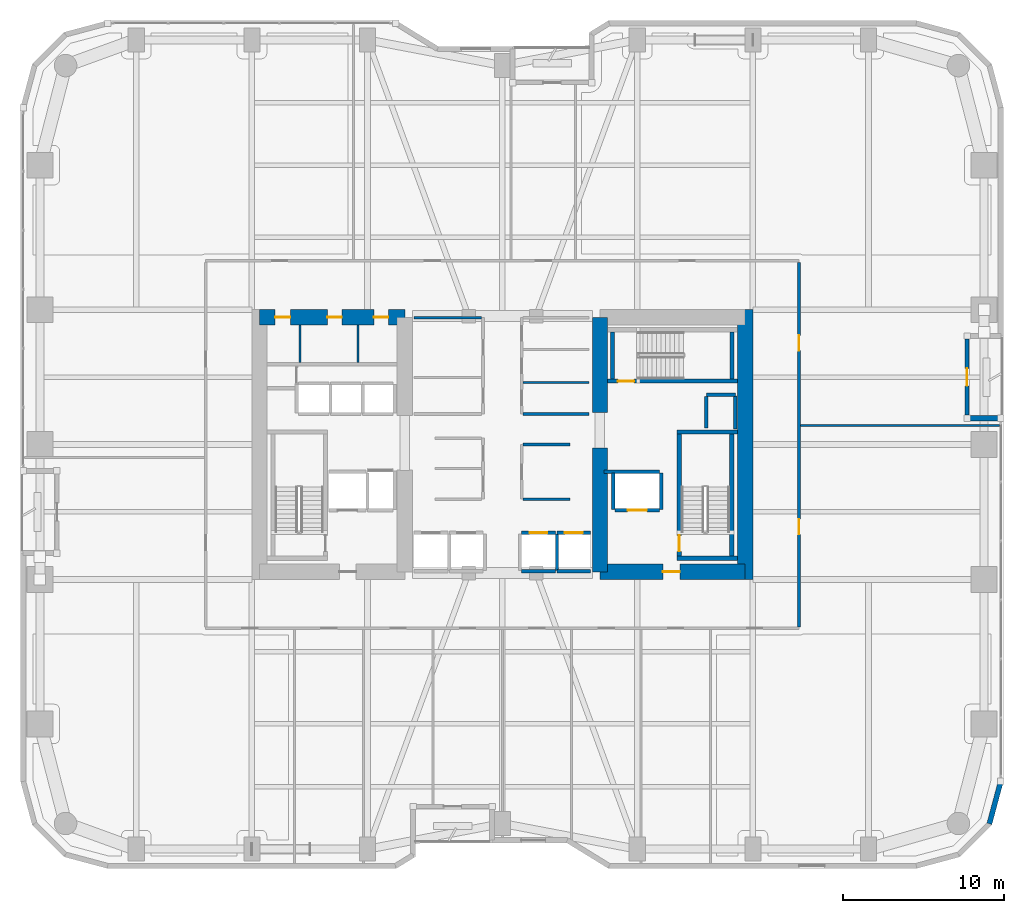
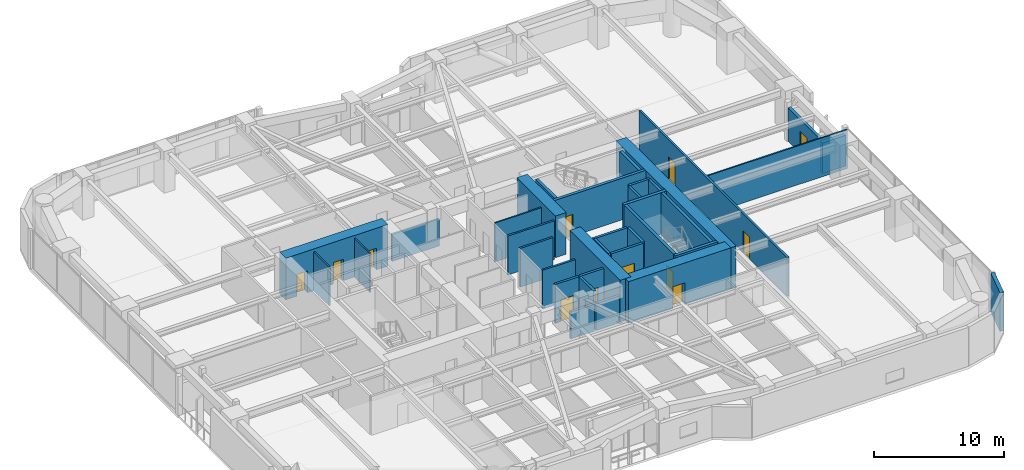
# One storey, part 24 of 28: 36 walls, 12 doors, 12 openings.
"""IFC4 building model written with IfcOpenShell, lengths in metres."""

from ifc_helpers import new_model, si_unit, direction, frame, frame_2d, origin, place, context, subcontext, project, spatial, rectangle, extrude, material, layer, layer_set, type_object, element, fill, save


model = new_model("IFC4")

# Units and contexts
model_context = context("Model", 3, precision=1e-05, world=origin(), true_north=direction((0.0, 1.0)))
body_context = subcontext(model_context, "Body", "Model", "MODEL_VIEW")
ifc_project = project(units=[si_unit("LENGTHUNIT", "METRE"), si_unit("AREAUNIT", "SQUARE_METRE"), si_unit("VOLUMEUNIT", "CUBIC_METRE"), si_unit("PLANEANGLEUNIT", "RADIAN"), si_unit("MASSUNIT", "GRAM", prefix="KILO")], contexts=[model_context])

# Site, building, storey
site_placement = place(None, origin())
site = spatial("IfcSite", under=ifc_project, at=site_placement, CompositionType="ELEMENT")
building_placement = place(site_placement, origin())
building = spatial("IfcBuilding", under=site, at=building_placement, Name="Kiyonajd Concourse Tower", CompositionType="ELEMENT")
storey_placement = place(building_placement, frame((0.0, 0.0, 56.699951171875)))
storey = spatial("IfcBuildingStorey", under=building, at=storey_placement, Name="L15", CompositionType="ELEMENT", Elevation=56.699951171875)

# Wall, openings, doors
ifc_material_1 = material(Name="Concrete C80/95", Category="concrete")
ifc_layer_1 = layer(ifc_material_1, 0.949951171875)
ifc_layer_set_1 = layer_set([ifc_layer_1], Name="Concrete C80/95")
wall_type_1 = type_object("IfcWallType", Name="WL-CORE-950", PredefinedType="SHEAR", material=ifc_layer_set_1)
wall_1_placement = place(storey_placement, frame((32.875, 43.925048828125, 0.0), z_axis=(0.0, 0.0, 1.0), x_axis=(1.0, 0.0, 0.0)))
wall_1 = element("IfcWall", 1, at=wall_1_placement, inside=storey, type_object=wall_type_1, Name="L15 West Core North Shear Wall", PredefinedType="SHEAR", context=body_context, shape_type="SweptSolid", body=[
    extrude(rectangle(XDim=9.050048828125, YDim=0.949951171875, at=frame_2d((4.52490234375, 0.0))), origin(), (0.0, 0.0, 1.0), 3.900146484375),
])
opening_1_placement = place(wall_1_placement, frame((0.97509765625, 0.0, 0.0)))
opening_1 = element("IfcOpeningElement", 2, at=opening_1_placement, cuts=wall_1, Name="Opening DI1", PredefinedType="OPENING", context=body_context, shape_type="SweptSolid", body=[
    extrude(rectangle(XDim=0.949951171875, YDim=2.0400390625, at=frame_2d((0.47509765625, 1.02001953125))), frame((0.0, 0.48486328125, 0.0), z_axis=(0.0, -1.0, 0.0), x_axis=(1.0, 0.0, 0.0)), (0.0, 0.0, 1.0), 0.969970703125),
])
opening_2_placement = place(wall_1_placement, frame((4.22509765625, 0.0, 0.0)))
opening_2 = element("IfcOpeningElement", 3, at=opening_2_placement, cuts=wall_1, Name="Opening DI2", PredefinedType="OPENING", context=body_context, shape_type="SweptSolid", body=[
    extrude(rectangle(XDim=0.89990234375, YDim=2.02001953125, at=frame_2d((0.449951171875, 1.010009765625))), frame((0.0, 0.48486328125, 0.0), z_axis=(0.0, -1.0, 0.0), x_axis=(1.0, 0.0, 0.0)), (0.0, 0.0, 1.0), 0.969970703125),
])
opening_3_placement = place(wall_1_placement, frame((7.125, 0.0, 0.0)))
opening_3 = element("IfcOpeningElement", 4, at=opening_3_placement, cuts=wall_1, Name="Opening DI2", PredefinedType="OPENING", context=body_context, shape_type="SweptSolid", body=[
    extrude(rectangle(XDim=0.89990234375, YDim=2.02001953125, at=frame_2d((0.449951171875, 1.010009765625))), frame((0.0, 0.48486328125, 0.0), z_axis=(0.0, -1.0, 0.0), x_axis=(1.0, 0.0, 0.0)), (0.0, 0.0, 1.0), 0.969970703125),
])
ifc_material_2 = material(Name="Natural Oak Acoustic Timber Veneer", Category="wood")
door_type_1 = type_object("IfcDoorType", Name="DR-INT-900", OperationType="NOTDEFINED", PredefinedType="DOOR", material=ifc_material_2)
door_1_placement = place(opening_2_placement, origin())
door_1 = element("IfcDoor", 5, at=door_1_placement, inside=storey, type_object=door_type_1, Name="L15 Male Restroom Door", OperationType="SINGLE_SWING_RIGHT", OverallHeight=2.02001953125, OverallWidth=0.89990234375, PredefinedType="DOOR", context=body_context, shape_type="SweptSolid", body=[
    extrude(rectangle(XDim=0.89990234375, YDim=2.02001953125, at=frame_2d((0.449951171875, 1.010009765625))), frame((0.0, 0.02490234375, 0.0), z_axis=(0.0, -1.0, 0.0), x_axis=(1.0, 0.0, 0.0)), (0.0, 0.0, 1.0), 0.050048828125),
])
fill(opening_2, door_1)
door_2_placement = place(opening_3_placement, origin())
door_2 = element("IfcDoor", 6, at=door_2_placement, inside=storey, type_object=door_type_1, Name="L15 Female Restroom Door", OperationType="SINGLE_SWING_LEFT", OverallHeight=2.02001953125, OverallWidth=0.89990234375, PredefinedType="DOOR", context=body_context, shape_type="SweptSolid", body=[
    extrude(rectangle(XDim=0.89990234375, YDim=2.02001953125, at=frame_2d((0.449951171875, 1.010009765625))), frame((0.0, 0.02490234375, 0.0), z_axis=(0.0, -1.0, 0.0), x_axis=(1.0, 0.0, 0.0)), (0.0, 0.0, 1.0), 0.050048828125),
])
fill(opening_3, door_2)
door_type_2 = type_object("IfcDoorType", Name="DR-INT-950", OperationType="NOTDEFINED", PredefinedType="DOOR", material=ifc_material_2)
door_3_placement = place(opening_1_placement, origin())
door_3 = element("IfcDoor", 7, at=door_3_placement, inside=storey, type_object=door_type_2, Name="L15 Single User Accessible WC Door", OperationType="SINGLE_SWING_LEFT", OverallHeight=2.0400390625, OverallWidth=0.949951171875, PredefinedType="DOOR", context=body_context, shape_type="SweptSolid", body=[
    extrude(rectangle(XDim=0.949951171875, YDim=2.0400390625, at=frame_2d((0.47509765625, 1.02001953125))), frame((0.0, 0.02490234375, 0.0), z_axis=(0.0, -1.0, 0.0), x_axis=(1.0, 0.0, 0.0)), (0.0, 0.0, 1.0), 0.050048828125),
])
fill(opening_1, door_3)

# Walls
wall_2_placement = place(storey_placement, frame((54.074951171875, 28.074951171875, 0.0), z_axis=(0.0, 0.0, 1.0), x_axis=(0.0, 1.0, 0.0)))
element("IfcWall", 8, at=wall_2_placement, inside=storey, type_object=wall_type_1, Name="L15 East Core Inner South Shear Wall", PredefinedType="SHEAR", context=body_context, shape_type="SweptSolid", body=[
    extrude(rectangle(XDim=7.72509765625, YDim=0.949951171875, at=frame_2d((3.862548828125, 0.0))), origin(), (0.0, 0.0, 1.0), 3.900146484375),
])
wall_3_placement = place(storey_placement, frame((54.074951171875, 38.0, 0.0), z_axis=(0.0, 0.0, 1.0), x_axis=(0.0, 1.0, 0.0)))
element("IfcWall", 9, at=wall_3_placement, inside=storey, type_object=wall_type_1, Name="L15 East Core Inner North Shear Wall", PredefinedType="SHEAR", context=body_context, shape_type="SweptSolid", body=[
    extrude(rectangle(XDim=5.925048828125, YDim=0.949951171875, at=frame_2d((2.96240234375, 0.0))), origin(), (0.0, 0.0, 1.0), 3.900146484375),
])
wall_4_placement = place(storey_placement, frame((63.125, 27.60009765625, 0.0), z_axis=(0.0, 0.0, 1.0), x_axis=(0.0, 1.0, 0.0)))
element("IfcWall", 10, at=wall_4_placement, inside=storey, type_object=wall_type_1, Name="L15 East Core Outer Shear Wall", PredefinedType="SHEAR", context=body_context, shape_type="SweptSolid", body=[
    extrude(rectangle(XDim=16.7998046875, YDim=0.949951171875, at=frame_2d((8.39990234375, 0.0))), origin(), (0.0, 0.0, 1.0), 3.900146484375),
])

# Wall, opening, door
wall_5_placement = place(storey_placement, frame((54.074951171875, 28.074951171875, 0.0), z_axis=(0.0, 0.0, 1.0), x_axis=(1.0, 0.0, 0.0)))
wall_5 = element("IfcWall", 11, at=wall_5_placement, inside=storey, type_object=wall_type_1, Name="L15 East Core South Shear Wall", PredefinedType="SHEAR", context=body_context, shape_type="SweptSolid", body=[
    extrude(rectangle(XDim=9.050048828125, YDim=0.949951171875, at=frame_2d((4.52490234375, 0.0))), origin(), (0.0, 0.0, 1.0), 3.900146484375),
])
opening_4_placement = place(wall_5_placement, frame((3.925048828125, 0.0, 0.0)))
opening_4 = element("IfcOpeningElement", 12, at=opening_4_placement, cuts=wall_5, Name="Opening DF5", PredefinedType="OPENING", context=body_context, shape_type="SweptSolid", body=[
    extrude(rectangle(XDim=1.050048828125, YDim=2.0400390625, at=frame_2d((0.52490234375, 1.02001953125))), frame((0.0, 0.48486328125, 0.0), z_axis=(0.0, -1.0, 0.0), x_axis=(1.0, 0.0, 0.0)), (0.0, 0.0, 1.0), 0.969970703125),
])
ifc_material_3 = material(Name="Brushed Stainless Steel Cab Assembly", Category="steel")
door_type_3 = type_object("IfcDoorType", Name="DR-FD45-1050", OperationType="NOTDEFINED", PredefinedType="DOOR", material=ifc_material_3)
door_4_placement = place(opening_4_placement, origin())
door_4 = element("IfcDoor", 13, at=door_4_placement, inside=storey, type_object=door_type_3, Name="L15 Firefighting Lift Lobby E Smoke Door", OperationType="SINGLE_SWING_RIGHT", OverallHeight=2.0400390625, OverallWidth=1.050048828125, PredefinedType="DOOR", context=body_context, shape_type="SweptSolid", body=[
    extrude(rectangle(XDim=1.050048828125, YDim=2.0400390625, at=frame_2d((0.52490234375, 1.02001953125))), frame((0.0, 0.02490234375, 0.0), z_axis=(0.0, -1.0, 0.0), x_axis=(1.0, 0.0, 0.0)), (0.0, 0.0, 1.0), 0.050048828125),
])
fill(opening_4, door_4)

# Walls
ifc_material_4 = material(Name="Precast concrete C50/60", Category="concrete")
ifc_layer_2 = layer(ifc_material_4, 0.320068359375)
ifc_layer_set_2 = layer_set([ifc_layer_2], Name="Precast concrete C50/60")
wall_type_2 = type_object("IfcWallType", Name="WL-EXT-320", PredefinedType="SOLIDWALL", material=ifc_layer_set_2)
wall_6_placement = place(storey_placement, frame((76.93994140625, 37.639892578125, 0.0), z_axis=(0.0, 0.0, 1.0), x_axis=(1.0, 0.0, 0.0)))
element("IfcWall", 14, at=wall_6_placement, inside=storey, type_object=wall_type_2, Name="L15 Exterior Concrete Frame Wall 23", PredefinedType="SOLIDWALL", context=body_context, shape_type="SweptSolid", body=[
    extrude(rectangle(XDim=2.10009765625, YDim=0.320068359375, at=frame_2d((1.050048828125, 0.0))), origin(), (0.0, 0.0, 1.0), 2.875),
])
wall_7_placement = place(storey_placement, frame((79.0400390625, 15.02099609375, 0.0), z_axis=(0.0, 0.0, 1.0), x_axis=(-0.25869736047, -0.965958423373, 0.0)))
element("IfcWall", 15, at=wall_7_placement, inside=storey, type_object=wall_type_2, Name="L15 Exterior Concrete Frame Wall 25", PredefinedType="SOLIDWALL", context=body_context, shape_type="SweptSolid", body=[
    extrude(rectangle(XDim=2.731201171875, YDim=0.320068359375, at=frame_2d((1.36572265625, 0.0))), origin(), (0.0, 0.0, 1.0), 3.64013671875),
])

# Wall, opening, door
ifc_layer_3 = layer(ifc_material_4, 0.239990234375)
ifc_layer_set_3 = layer_set([ifc_layer_3], Name="Precast concrete C50/60")
wall_type_3 = type_object("IfcWallType", Name="WL-LOG-240", PredefinedType="SOLIDWALL", material=ifc_layer_set_3)
wall_8_placement = place(storey_placement, frame((76.93994140625, 42.56494140625, 0.0), z_axis=(0.0, 0.0, 1.0), x_axis=(0.0, -1.0, 0.0)))
wall_8 = element("IfcWall", 16, at=wall_8_placement, inside=storey, type_object=wall_type_3, Name="L15 Recessed Loggia Thermal Wall LOG-E", PredefinedType="SOLIDWALL", context=body_context, shape_type="SweptSolid", body=[
    extrude(rectangle(XDim=4.72998046875, YDim=0.239990234375, at=frame_2d((2.364990234375, 0.0))), origin(), (0.0, 0.0, 1.0), 3.162109375),
])
opening_5_placement = place(wall_8_placement, frame((1.81494140625, 0.0, 0.0)))
opening_5 = element("IfcOpeningElement", 17, at=opening_5_placement, cuts=wall_8, Name="Opening DL2", PredefinedType="OPENING", context=body_context, shape_type="SweptSolid", body=[
    extrude(rectangle(XDim=1.10009765625, YDim=2.0400390625, at=frame_2d((0.550048828125, 1.02001953125))), frame((0.0, 0.1298828125, 0.0), z_axis=(0.0, -1.0, 0.0), x_axis=(1.0, 0.0, 0.0)), (0.0, 0.0, 1.0), 0.260009765625),
])
ifc_material_5 = material(Name="Thermally Broken Anodised Aluminium", Category="aluminium")
door_type_4 = type_object("IfcDoorType", Name="DR-LOG-1100", OperationType="NOTDEFINED", PredefinedType="DOOR", material=ifc_material_5)
door_5_placement = place(opening_5_placement, origin())
door_5 = element("IfcDoor", 18, at=door_5_placement, inside=storey, type_object=door_type_4, Name="L15 Engawa Loggia Access Door LOG-E", OperationType="SINGLE_SWING_LEFT", OverallHeight=2.0400390625, OverallWidth=1.10009765625, PredefinedType="DOOR", context=body_context, shape_type="SweptSolid", body=[
    extrude(rectangle(XDim=1.10009765625, YDim=2.0400390625, at=frame_2d((0.550048828125, 1.02001953125))), frame((0.0, 0.02490234375, 0.0), z_axis=(0.0, -1.0, 0.0), x_axis=(1.0, 0.0, 0.0)), (0.0, 0.0, 1.0), 0.050048828125),
])
fill(opening_5, door_5)

# Walls
ifc_material_6 = material(Name="Gypsum Board on Cold-Formed Steel Stud", Category="steel")
ifc_layer_4 = layer(ifc_material_6, 0.125)
ifc_layer_set_4 = layer_set([ifc_layer_4], Name="Gypsum Board on Cold-Formed Steel Stud")
wall_type_4 = type_object("IfcWallType", Name="WL-PART-125", PredefinedType="PARTITIONING", material=ifc_layer_set_4)
for number, where, z_axis, x_axis, name in (
    (19, (35.39990234375, 41.094970703125, 0.0), (0.0, 0.0, 1.0), (0.0, 1.0, 0.0), "L15 Interior Partition Wall"),
    (20, (39.0, 41.094970703125, 0.0), (0.0, 0.0, 1.0), (0.0, 1.0, 0.0), "L15 Interior Partition Wall"),
):
    element("IfcWall", number, at=place(storey_placement, frame(where, z_axis=z_axis, x_axis=x_axis)), inside=storey, type_object=wall_type_4, Name=name, PredefinedType="PARTITIONING", context=body_context, shape_type="SweptSolid", body=[
        extrude(rectangle(XDim=2.35498046875, YDim=0.125, at=frame_2d((1.177490234375, 0.0))), origin(), (0.0, 0.0, 1.0), 3.64013671875),
    ])
wall_9_placement = place(storey_placement, frame((49.287109375, 39.8798828125, 0.0), z_axis=(0.0, 0.0, 1.0), x_axis=(1.0, 0.0, 0.0)))
element("IfcWall", 21, at=wall_9_placement, inside=storey, type_object=wall_type_4, Name="L15 Interior Partition Wall", PredefinedType="PARTITIONING", context=body_context, shape_type="SweptSolid", body=[
    extrude(rectangle(XDim=4.11279296875, YDim=0.125, at=frame_2d((2.056396484375, 0.0))), origin(), (0.0, 0.0, 1.0), 3.64013671875),
])
wall_10_placement = place(storey_placement, frame((66.56201171875, 37.199951171875, 0.0), z_axis=(0.0, 0.0, 1.0), x_axis=(1.0, 0.0, 0.0)))
element("IfcWall", 22, at=wall_10_placement, inside=storey, type_object=wall_type_4, Name="L15 Interior Partition Wall", PredefinedType="PARTITIONING", context=body_context, shape_type="SweptSolid", body=[
    extrude(rectangle(XDim=12.39306640625, YDim=0.125, at=frame_2d((6.196533203125, 0.0))), origin(), (0.0, 0.0, 1.0), 3.64013671875),
])
ifc_layer_5 = layer(ifc_material_6, 0.2099609375)
ifc_layer_set_5 = layer_set([ifc_layer_5], Name="Gypsum Board on Cold-Formed Steel Stud")
wall_type_5 = type_object("IfcWallType", Name="WL-SHAFT-210", PredefinedType="PARTITIONING", material=ifc_layer_set_5)
wall_11_placement = place(storey_placement, frame((60.719970703125, 39.10009765625, 0.0), z_axis=(0.0, 0.0, 1.0), x_axis=(1.0, 0.0, 0.0)))
element("IfcWall", 23, at=wall_11_placement, inside=storey, type_object=wall_type_5, Name="L15 Shaft Enclosure Wall", PredefinedType="PARTITIONING", context=body_context, shape_type="SweptSolid", body=[
    extrude(rectangle(XDim=1.800048828125, YDim=0.2099609375, at=frame_2d((0.89990234375, 0.0))), origin(), (0.0, 0.0, 1.0), 3.64013671875),
])
wall_12_placement = place(storey_placement, frame((60.699951171875, 37.02001953125, 0.0), z_axis=(0.0, 0.0, 1.0), x_axis=(0.0, 1.0, 0.0)))
element("IfcWall", 24, at=wall_12_placement, inside=storey, type_object=wall_type_5, Name="L15 Shaft Enclosure Wall", PredefinedType="PARTITIONING", context=body_context, shape_type="SweptSolid", body=[
    extrude(rectangle(XDim=1.9599609375, YDim=0.2099609375, at=frame_2d((0.97998046875, 0.0))), origin(), (0.0, 0.0, 1.0), 3.64013671875),
])
wall_13_placement = place(storey_placement, frame((62.5, 36.97998046875, 0.0), z_axis=(0.0, 0.0, 1.0), x_axis=(0.0, 1.0, 0.0)))
element("IfcWall", 25, at=wall_13_placement, inside=storey, type_object=wall_type_5, Name="L15 Shaft Enclosure Wall", PredefinedType="PARTITIONING", context=body_context, shape_type="SweptSolid", body=[
    extrude(rectangle(XDim=2.0400390625, YDim=0.2099609375, at=frame_2d((1.02001953125, 0.0))), origin(), (0.0, 0.0, 1.0), 3.64013671875),
])

# Wall, opening, door
wall_14_placement = place(storey_placement, frame((55.0, 31.89990234375, 0.0), z_axis=(0.0, 0.0, 1.0), x_axis=(1.0, 0.0, 0.0)))
wall_14 = element("IfcWall", 26, at=wall_14_placement, inside=storey, type_object=wall_type_5, Name="L15 Shaft Enclosure Wall", PredefinedType="PARTITIONING", context=body_context, shape_type="SweptSolid", body=[
    extrude(rectangle(XDim=2.800048828125, YDim=0.2099609375, at=frame_2d((1.39990234375, 0.0))), origin(), (0.0, 0.0, 1.0), 3.64013671875),
])
opening_6_placement = place(wall_14_placement, frame((0.800048828125, 0.0, 0.0)))
opening_6 = element("IfcOpeningElement", 27, at=opening_6_placement, cuts=wall_14, Name="Opening LD2", PredefinedType="OPENING", context=body_context, shape_type="SweptSolid", body=[
    extrude(rectangle(XDim=1.199951171875, YDim=2.0400390625, at=frame_2d((0.60009765625, 1.02001953125))), frame((0.0, 0.114990234375, 0.0), z_axis=(0.0, -1.0, 0.0), x_axis=(1.0, 0.0, 0.0)), (0.0, 0.0, 1.0), 0.22998046875),
])
door_type_5 = type_object("IfcDoorType", Name="DR-LD-1200", OperationType="DOUBLE_DOOR_SLIDING", PredefinedType="DOOR", material=ifc_material_3)
door_6_placement = place(opening_6_placement, origin())
door_6 = element("IfcDoor", 28, at=door_6_placement, inside=storey, type_object=door_type_5, Name="L15 Lift FFL2 Sliding Landing Door", OperationType="DOUBLE_DOOR_SLIDING", OverallHeight=2.0400390625, OverallWidth=1.199951171875, PredefinedType="DOOR", context=body_context, shape_type="SweptSolid", body=[
    extrude(rectangle(XDim=1.199951171875, YDim=2.0400390625, at=frame_2d((0.60009765625, 1.02001953125))), frame((0.0, 0.02490234375, 0.0), z_axis=(0.0, -1.0, 0.0), x_axis=(1.0, 0.0, 0.0)), (0.0, 0.0, 1.0), 0.050048828125),
])
fill(opening_6, door_6)

# Walls
wall_15_placement = place(storey_placement, frame((54.320068359375, 34.300048828125, 0.0), z_axis=(0.0, 0.0, 1.0), x_axis=(1.0, 0.0, 0.0)))
element("IfcWall", 29, at=wall_15_placement, inside=storey, type_object=wall_type_5, Name="L15 Shaft Enclosure Wall", PredefinedType="PARTITIONING", context=body_context, shape_type="SweptSolid", body=[
    extrude(rectangle(XDim=3.47998046875, YDim=0.2099609375, at=frame_2d((1.739990234375, 0.0))), origin(), (0.0, 0.0, 1.0), 3.64013671875),
])
for number, where, z_axis, x_axis, name in (
    (30, (54.89990234375, 31.9599609375, 0.0), (0.0, 0.0, 1.0), (0.0, 1.0, 0.0), "L15 Shaft Enclosure Wall"),
    (31, (57.89990234375, 31.9599609375, 0.0), (0.0, 0.0, 1.0), (0.0, 1.0, 0.0), "L15 Shaft Enclosure Wall"),
):
    element("IfcWall", number, at=place(storey_placement, frame(where, z_axis=z_axis, x_axis=x_axis)), inside=storey, type_object=wall_type_5, Name=name, PredefinedType="PARTITIONING", context=body_context, shape_type="SweptSolid", body=[
        extrude(rectangle(XDim=2.280029296875, YDim=0.2099609375, at=frame_2d((1.14013671875, 0.0))), origin(), (0.0, 0.0, 1.0), 3.64013671875),
    ])

# Wall, opening, door
wall_16_placement = place(storey_placement, frame((49.199951171875, 30.5, 0.0), z_axis=(0.0, 0.0, 1.0), x_axis=(1.0, 0.0, 0.0)))
wall_16 = element("IfcWall", 32, at=wall_16_placement, inside=storey, type_object=wall_type_5, Name="L15 Shaft Enclosure Wall", PredefinedType="PARTITIONING", context=body_context, shape_type="SweptSolid", body=[
    extrude(rectangle(XDim=2.10009765625, YDim=0.2099609375, at=frame_2d((1.050048828125, 0.0))), origin(), (0.0, 0.0, 1.0), 3.64013671875),
])
opening_7_placement = place(wall_16_placement, frame((0.5, 0.0, 0.0)))
opening_7 = element("IfcOpeningElement", 33, at=opening_7_placement, cuts=wall_16, Name="Opening LD1", PredefinedType="OPENING", context=body_context, shape_type="SweptSolid", body=[
    extrude(rectangle(XDim=1.10009765625, YDim=2.0400390625, at=frame_2d((0.550048828125, 1.02001953125))), frame((0.0, 0.114990234375, 0.0), z_axis=(0.0, -1.0, 0.0), x_axis=(1.0, 0.0, 0.0)), (0.0, 0.0, 1.0), 0.22998046875),
])
door_type_6 = type_object("IfcDoorType", Name="DR-LD-1100", OperationType="DOUBLE_DOOR_SLIDING", PredefinedType="DOOR", material=ifc_material_3)
door_7_placement = place(opening_7_placement, origin())
door_7 = element("IfcDoor", 34, at=door_7_placement, inside=storey, type_object=door_type_6, Name="L15 Lift PL-L3 Sliding Landing Door", OperationType="DOUBLE_DOOR_SLIDING", OverallHeight=2.0400390625, OverallWidth=1.10009765625, PredefinedType="DOOR", context=body_context, shape_type="SweptSolid", body=[
    extrude(rectangle(XDim=1.10009765625, YDim=2.0400390625, at=frame_2d((0.550048828125, 1.02001953125))), frame((0.0, 0.02490234375, 0.0), z_axis=(0.0, -1.0, 0.0), x_axis=(1.0, 0.0, 0.0)), (0.0, 0.0, 1.0), 0.050048828125),
])
fill(opening_7, door_7)

# Walls
wall_17_placement = place(storey_placement, frame((49.199951171875, 28.10009765625, 0.0), z_axis=(0.0, 0.0, 1.0), x_axis=(1.0, 0.0, 0.0)))
element("IfcWall", 35, at=wall_17_placement, inside=storey, type_object=wall_type_5, Name="L15 Shaft Enclosure Wall", PredefinedType="PARTITIONING", context=body_context, shape_type="SweptSolid", body=[
    extrude(rectangle(XDim=2.10009765625, YDim=0.2099609375, at=frame_2d((1.050048828125, 0.0))), origin(), (0.0, 0.0, 1.0), 2.525146484375),
])
wall_18_placement = place(storey_placement, frame((51.39990234375, 28.159912109375, 0.0), z_axis=(0.0, 0.0, 1.0), x_axis=(0.0, 1.0, 0.0)))
element("IfcWall", 36, at=wall_18_placement, inside=storey, type_object=wall_type_5, Name="L15 Shaft Enclosure Wall", PredefinedType="PARTITIONING", context=body_context, shape_type="SweptSolid", body=[
    extrude(rectangle(XDim=2.280029296875, YDim=0.2099609375, at=frame_2d((1.14013671875, 0.0))), origin(), (0.0, 0.0, 1.0), 3.64013671875),
])

# Wall, opening, door
wall_19_placement = place(storey_placement, frame((51.39990234375, 30.5, 0.0), z_axis=(0.0, 0.0, 1.0), x_axis=(1.0, 0.0, 0.0)))
wall_19 = element("IfcWall", 37, at=wall_19_placement, inside=storey, type_object=wall_type_5, Name="L15 Shaft Enclosure Wall", PredefinedType="PARTITIONING", context=body_context, shape_type="SweptSolid", body=[
    extrude(rectangle(XDim=2.10009765625, YDim=0.2099609375, at=frame_2d((1.050048828125, 0.0))), origin(), (0.0, 0.0, 1.0), 3.64013671875),
])
opening_8_placement = place(wall_19_placement, frame((0.5, 0.0, 0.0)))
opening_8 = element("IfcOpeningElement", 38, at=opening_8_placement, cuts=wall_19, Name="Opening LD1", PredefinedType="OPENING", context=body_context, shape_type="SweptSolid", body=[
    extrude(rectangle(XDim=1.10009765625, YDim=2.0400390625, at=frame_2d((0.550048828125, 1.02001953125))), frame((0.0, 0.114990234375, 0.0), z_axis=(0.0, -1.0, 0.0), x_axis=(1.0, 0.0, 0.0)), (0.0, 0.0, 1.0), 0.22998046875),
])
door_8_placement = place(opening_8_placement, origin())
door_8 = element("IfcDoor", 39, at=door_8_placement, inside=storey, type_object=door_type_6, Name="L15 Lift PL-L4 Sliding Landing Door", OperationType="DOUBLE_DOOR_SLIDING", OverallHeight=2.0400390625, OverallWidth=1.10009765625, PredefinedType="DOOR", context=body_context, shape_type="SweptSolid", body=[
    extrude(rectangle(XDim=1.10009765625, YDim=2.0400390625, at=frame_2d((0.550048828125, 1.02001953125))), frame((0.0, 0.02490234375, 0.0), z_axis=(0.0, -1.0, 0.0), x_axis=(1.0, 0.0, 0.0)), (0.0, 0.0, 1.0), 0.050048828125),
])
fill(opening_8, door_8)

# Walls
wall_20_placement = place(storey_placement, frame((51.39990234375, 28.10009765625, 0.0), z_axis=(0.0, 0.0, 1.0), x_axis=(1.0, 0.0, 0.0)))
element("IfcWall", 40, at=wall_20_placement, inside=storey, type_object=wall_type_5, Name="L15 Shaft Enclosure Wall", PredefinedType="PARTITIONING", context=body_context, shape_type="SweptSolid", body=[
    extrude(rectangle(XDim=2.10009765625, YDim=0.2099609375, at=frame_2d((1.050048828125, 0.0))), origin(), (0.0, 0.0, 1.0), 2.525146484375),
])
ifc_layer_6 = layer(ifc_material_6, 0.169921875)
ifc_layer_set_6 = layer_set([ifc_layer_6], Name="Gypsum Board on Cold-Formed Steel Stud")
wall_type_6 = type_object("IfcWallType", Name="WL-SMK-170", PredefinedType="PARTITIONING", material=ifc_layer_set_6)
for number, where, z_axis, x_axis, name in (
    (41, (49.287109375, 32.60009765625, 0.0), (0.0, 0.0, 1.0), (1.0, 0.0, 0.0), "L15 Interior Partition Wall"),
    (42, (49.287109375, 36.0, 0.0), (0.0, 0.0, 1.0), (1.0, 0.0, 0.0), "L15 Interior Partition Wall"),
):
    element("IfcWall", number, at=place(storey_placement, frame(where, z_axis=z_axis, x_axis=x_axis)), inside=storey, type_object=wall_type_6, Name=name, PredefinedType="PARTITIONING", context=body_context, shape_type="SweptSolid", body=[
        extrude(rectangle(XDim=2.912841796875, YDim=0.169921875, at=frame_2d((1.45654296875, 0.0))), origin(), (0.0, 0.0, 1.0), 3.64013671875),
    ])
wall_21_placement = place(storey_placement, frame((42.5, 43.89990234375, 0.0), z_axis=(0.0, 0.0, 1.0), x_axis=(1.0, 0.0, 0.0)))
element("IfcWall", 43, at=wall_21_placement, inside=storey, type_object=wall_type_6, Name="L15 Interior Partition Wall", PredefinedType="PARTITIONING", context=body_context, shape_type="SweptSolid", body=[
    extrude(rectangle(XDim=4.212890625, YDim=0.169921875, at=frame_2d((2.1064453125, 0.0))), origin(), (0.0, 0.0, 1.0), 2.525146484375),
])
wall_22_placement = place(storey_placement, frame((49.287109375, 37.89990234375, 0.0), z_axis=(0.0, 0.0, 1.0), x_axis=(1.0, 0.0, 0.0)))
element("IfcWall", 44, at=wall_22_placement, inside=storey, type_object=wall_type_6, Name="L15 Interior Partition Wall", PredefinedType="PARTITIONING", context=body_context, shape_type="SweptSolid", body=[
    extrude(rectangle(XDim=4.11279296875, YDim=0.169921875, at=frame_2d((2.056396484375, 0.0))), origin(), (0.0, 0.0, 1.0), 3.64013671875),
])

# Wall, openings, doors
wall_23_placement = place(storey_placement, frame((66.47509765625, 24.64697265625, 0.0), z_axis=(0.0, 0.0, 1.0), x_axis=(0.0, 1.0, 0.0)))
wall_23 = element("IfcWall", 45, at=wall_23_placement, inside=storey, type_object=wall_type_6, Name="L15 Interior Partition Wall", PredefinedType="PARTITIONING", context=body_context, shape_type="SweptSolid", body=[
    extrude(rectangle(XDim=22.7060546875, YDim=0.169921875, at=frame_2d((11.35302734375, 0.0))), origin(), (0.0, 0.0, 1.0), 3.64013671875),
])
opening_9_placement = place(wall_23_placement, frame((5.758056640625, 0.0, 0.0)))
opening_9 = element("IfcOpeningElement", 46, at=opening_9_placement, cuts=wall_23, Name="Opening DI1", PredefinedType="OPENING", context=body_context, shape_type="SweptSolid", body=[
    extrude(rectangle(XDim=0.949951171875, YDim=2.0400390625, at=frame_2d((0.47509765625, 1.02001953125))), frame((0.0, 0.094970703125, 0.0), z_axis=(0.0, -1.0, 0.0), x_axis=(1.0, 0.0, 0.0)), (0.0, 0.0, 1.0), 0.18994140625),
])
opening_10_placement = place(wall_23_placement, frame((17.197998046875, 0.0, 0.0)))
opening_10 = element("IfcOpeningElement", 47, at=opening_10_placement, cuts=wall_23, Name="Opening DI1", PredefinedType="OPENING", context=body_context, shape_type="SweptSolid", body=[
    extrude(rectangle(XDim=0.949951171875, YDim=2.0400390625, at=frame_2d((0.47509765625, 1.02001953125))), frame((0.0, 0.094970703125, 0.0), z_axis=(0.0, -1.0, 0.0), x_axis=(1.0, 0.0, 0.0)), (0.0, 0.0, 1.0), 0.18994140625),
])
door_9_placement = place(opening_9_placement, origin())
door_9 = element("IfcDoor", 48, at=door_9_placement, inside=storey, type_object=door_type_2, Name="L15 Interior Door", OperationType="SINGLE_SWING_LEFT", OverallHeight=2.0400390625, OverallWidth=0.949951171875, PredefinedType="DOOR", context=body_context, shape_type="SweptSolid", body=[
    extrude(rectangle(XDim=0.949951171875, YDim=2.0400390625, at=frame_2d((0.47509765625, 1.02001953125))), frame((0.0, 0.02490234375, 0.0), z_axis=(0.0, -1.0, 0.0), x_axis=(1.0, 0.0, 0.0)), (0.0, 0.0, 1.0), 0.050048828125),
])
fill(opening_9, door_9)
door_10_placement = place(opening_10_placement, origin())
door_10 = element("IfcDoor", 49, at=door_10_placement, inside=storey, type_object=door_type_2, Name="L15 Interior Door", OperationType="SINGLE_SWING_RIGHT", OverallHeight=2.0400390625, OverallWidth=0.949951171875, PredefinedType="DOOR", context=body_context, shape_type="SweptSolid", body=[
    extrude(rectangle(XDim=0.949951171875, YDim=2.0400390625, at=frame_2d((0.47509765625, 1.02001953125))), frame((0.0, 0.02490234375, 0.0), z_axis=(0.0, -1.0, 0.0), x_axis=(1.0, 0.0, 0.0)), (0.0, 0.0, 1.0), 0.050048828125),
])
fill(opening_10, door_10)

# Walls
ifc_material_7 = material(Name="Concrete C50/60", Category="concrete")
ifc_layer_7 = layer(ifc_material_7, 0.260009765625)
ifc_layer_set_7 = layer_set([ifc_layer_7], Name="Concrete C50/60")
wall_type_7 = type_object("IfcWallType", Name="WL-STAIR-260", PredefinedType="SHEAR", material=ifc_layer_set_7)
for number, where, z_axis, x_axis, name in (
    (50, (58.889892578125, 28.919921875, 0.0), (0.0, 0.0, 1.0), (1.0, 0.0, 0.0), "L15 Stair ST2 Structural South Wall"),
    (51, (58.889892578125, 36.780029296875, 0.0), (0.0, 0.0, 1.0), (1.0, 0.0, 0.0), "L15 Stair ST2 Structural North Wall"),
):
    element("IfcWall", number, at=place(storey_placement, frame(where, z_axis=z_axis, x_axis=x_axis)), inside=storey, type_object=wall_type_7, Name=name, PredefinedType="SHEAR", context=body_context, shape_type="SweptSolid", body=[
        extrude(rectangle(XDim=3.760009765625, YDim=0.260009765625, at=frame_2d((1.8798828125, 0.0))), origin(), (0.0, 0.0, 1.0), 3.900146484375),
    ])

# Wall, opening, door
wall_24_placement = place(storey_placement, frame((59.02001953125, 29.050048828125, 0.0), z_axis=(0.0, 0.0, 1.0), x_axis=(0.0, 1.0, 0.0)))
wall_24 = element("IfcWall", 52, at=wall_24_placement, inside=storey, type_object=wall_type_7, Name="L15 Stair ST2 Structural West Wall", PredefinedType="SHEAR", context=body_context, shape_type="SweptSolid", body=[
    extrude(rectangle(XDim=7.599853515625, YDim=0.260009765625, at=frame_2d((3.7998046875, 0.0))), origin(), (0.0, 0.0, 1.0), 3.900146484375),
])
opening_11_placement = place(wall_24_placement, frame((0.300048828125, 0.0, 0.0)))
opening_11 = element("IfcOpeningElement", 53, at=opening_11_placement, cuts=wall_24, Name="Opening DF1", PredefinedType="OPENING", context=body_context, shape_type="SweptSolid", body=[
    extrude(rectangle(XDim=1.0, YDim=2.0400390625, at=frame_2d((0.5, 1.02001953125))), frame((0.0, 0.139892578125, 0.0), z_axis=(0.0, -1.0, 0.0), x_axis=(1.0, 0.0, 0.0)), (0.0, 0.0, 1.0), 0.280029296875),
])
door_type_7 = type_object("IfcDoorType", Name="DR-FD90-1000", OperationType="NOTDEFINED", PredefinedType="DOOR", material=ifc_material_3)
door_11_placement = place(opening_11_placement, origin())
door_11 = element("IfcDoor", 54, at=door_11_placement, inside=storey, type_object=door_type_7, Name="L15 Stair ST2 FSAE Door", OperationType="SINGLE_SWING_RIGHT", OverallHeight=2.0400390625, OverallWidth=1.0, PredefinedType="DOOR", context=body_context, shape_type="SweptSolid", body=[
    extrude(rectangle(XDim=1.0, YDim=2.0400390625, at=frame_2d((0.5, 1.02001953125))), frame((0.0, 0.02490234375, 0.0), z_axis=(0.0, -1.0, 0.0), x_axis=(1.0, 0.0, 0.0)), (0.0, 0.0, 1.0), 0.050048828125),
])
fill(opening_11, door_11)

# Wall
wall_25_placement = place(storey_placement, frame((62.280029296875, 29.050048828125, 0.0), z_axis=(0.0, 0.0, 1.0), x_axis=(0.0, 1.0, 0.0)))
element("IfcWall", 55, at=wall_25_placement, inside=storey, type_object=wall_type_7, Name="L15 Stair ST2 Structural East Wall", PredefinedType="SHEAR", context=body_context, shape_type="SweptSolid", body=[
    extrude(rectangle(XDim=7.599853515625, YDim=0.260009765625, at=frame_2d((3.7998046875, 0.0))), origin(), (0.0, 0.0, 1.0), 3.900146484375),
])

# Wall, opening, door
wall_26_placement = place(storey_placement, frame((54.550048828125, 39.949951171875, 0.0), z_axis=(0.0, 0.0, 1.0), x_axis=(1.0, 0.0, 0.0)))
wall_26 = element("IfcWall", 56, at=wall_26_placement, inside=storey, type_object=wall_type_7, Name="L15 Stair ST3 Structural South Wall", PredefinedType="SHEAR", context=body_context, shape_type="SweptSolid", body=[
    extrude(rectangle(XDim=8.099853515625, YDim=0.260009765625, at=frame_2d((4.0498046875, 0.0))), origin(), (0.0, 0.0, 1.0), 3.900146484375),
])
opening_12_placement = place(wall_26_placement, frame((0.64990234375, 0.0, 0.0)))
opening_12 = element("IfcOpeningElement", 57, at=opening_12_placement, cuts=wall_26, Name="Opening DF1", PredefinedType="OPENING", context=body_context, shape_type="SweptSolid", body=[
    extrude(rectangle(XDim=1.0, YDim=2.0400390625, at=frame_2d((0.5, 1.02001953125))), frame((0.0, 0.139892578125, 0.0), z_axis=(0.0, -1.0, 0.0), x_axis=(1.0, 0.0, 0.0)), (0.0, 0.0, 1.0), 0.280029296875),
])
door_12_placement = place(opening_12_placement, origin())
door_12 = element("IfcDoor", 58, at=door_12_placement, inside=storey, type_object=door_type_7, Name="L15 Stair ST3 Enclosure Door", OperationType="SINGLE_SWING_LEFT", OverallHeight=2.0400390625, OverallWidth=1.0, PredefinedType="DOOR", context=body_context, shape_type="SweptSolid", body=[
    extrude(rectangle(XDim=1.0, YDim=2.0400390625, at=frame_2d((0.5, 1.02001953125))), frame((0.0, 0.02490234375, 0.0), z_axis=(0.0, -1.0, 0.0), x_axis=(1.0, 0.0, 0.0)), (0.0, 0.0, 1.0), 0.050048828125),
])
fill(opening_12, door_12)

# Walls
for number, where, z_axis, x_axis, name in (
    (59, (54.85009765625, 40.080078125, 0.0), (0.0, 0.0, 1.0), (0.0, 1.0, 0.0), "L15 Stair ST3 Structural West Wall"),
    (60, (62.31005859375, 40.080078125, 0.0), (0.0, 0.0, 1.0), (0.0, 1.0, 0.0), "L15 Stair ST3 Structural East Wall"),
):
    element("IfcWall", number, at=place(storey_placement, frame(where, z_axis=z_axis, x_axis=x_axis)), inside=storey, type_object=wall_type_7, Name=name, PredefinedType="SHEAR", context=body_context, shape_type="SweptSolid", body=[
        extrude(rectangle(XDim=2.93994140625, YDim=0.260009765625, at=frame_2d((1.469970703125, 0.0))), origin(), (0.0, 0.0, 1.0), 3.900146484375),
    ])

save(model, "model.ifc")
